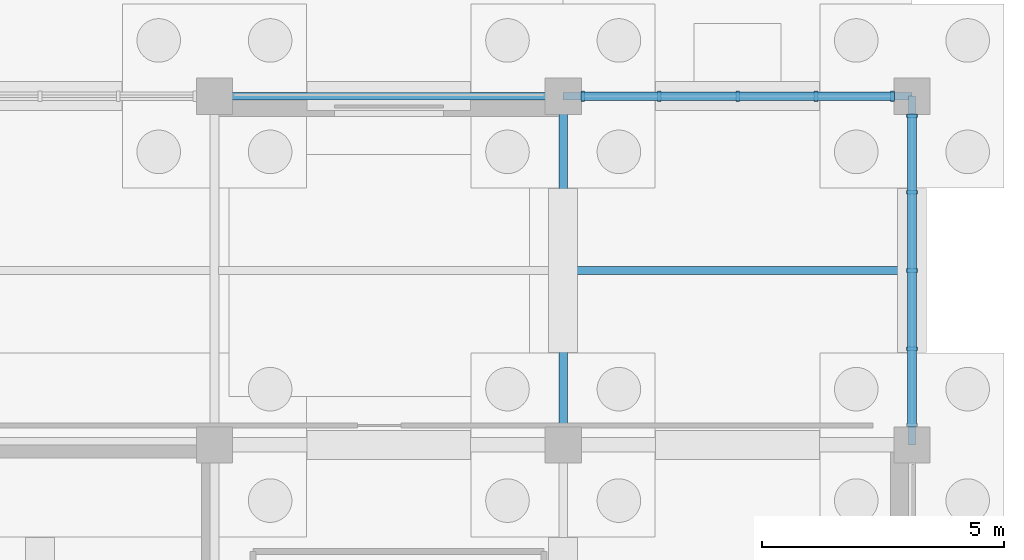
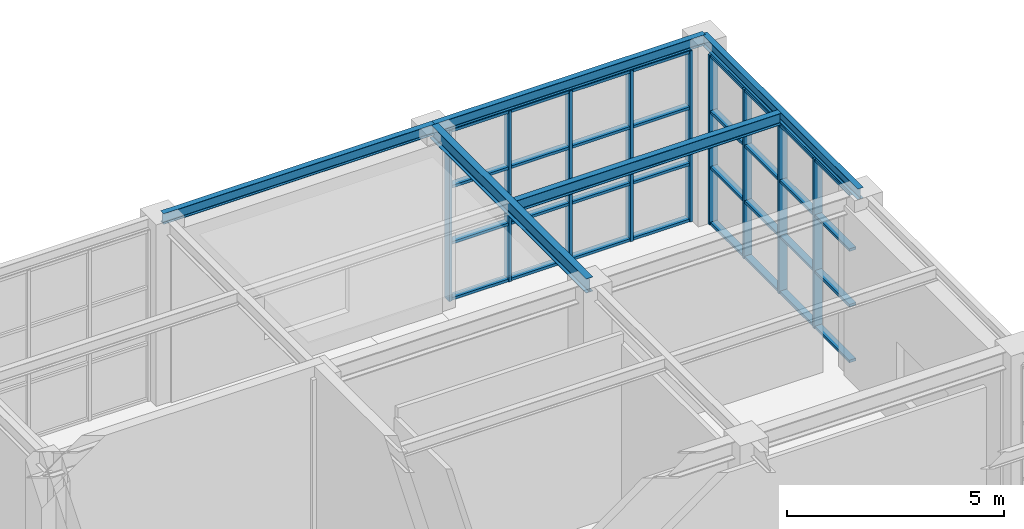
# One storey, part 36 of 75: 17 members, 5 beams, 2 elements without a shape of their own.
"""IFC4 building model written with IfcOpenShell, lengths in metres."""

from ifc_helpers import new_model, si_unit, direction, frame, origin, origin_2d, place, context, subcontext, project, spatial, rectangle, i_section, extrude, material, material_profile, profile_set, type_object, element, aggregate, save


model = new_model("IFC4")

# Units and contexts
model_context = context("Model", 3, precision=1e-05, world=origin(), true_north=direction((0.0, 1.0)))
body_context = subcontext(model_context, "Body", "Model", "MODEL_VIEW")
ifc_project = project(units=[si_unit("LENGTHUNIT", "METRE"), si_unit("AREAUNIT", "SQUARE_METRE"), si_unit("VOLUMEUNIT", "CUBIC_METRE"), si_unit("PLANEANGLEUNIT", "RADIAN"), si_unit("MASSUNIT", "GRAM", prefix="KILO")], contexts=[model_context])

# Site, building, storey
site_placement = place(None, origin())
site = spatial("IfcSite", under=ifc_project, at=site_placement, CompositionType="ELEMENT")
building_placement = place(site_placement, origin())
building = spatial("IfcBuilding", under=site, at=building_placement, Name="Leyfeld Transit Interchange", CompositionType="ELEMENT")
storey_placement = place(building_placement, origin())
storey = spatial("IfcBuildingStorey", under=building, at=storey_placement, Name="L00", CompositionType="ELEMENT", Elevation=0.0)

# Beams
ifc_material_1 = material(Name="Steel S355J2", Category="steel")
ifc_material_profile_1 = material_profile(ifc_material_1, i_section(OverallWidth=0.14990234375, OverallDepth=0.300048828125, WebThickness=0.007080078125, FlangeThickness=0.0107421875, FilletRadius=0.014892578125, at=origin_2d()), Name="IPE 300")
ifc_profile_set_1 = profile_set([ifc_material_profile_1], Name="Steel S355J2")
beam_type_1 = type_object("IfcBeamType", Name="BM-STL-IPE300", PredefinedType="SPANDREL", material=ifc_profile_set_1)
beam_1_placement = place(storey_placement, frame((187.199951171875, 86.39990234375, 4.949951171875), z_axis=(0.0, 1.0, 0.0), x_axis=(-1.0, 0.0, 0.0)))
element("IfcBeam", 1, at=beam_1_placement, inside=storey, type_object=beam_type_1, Name="Beam BM-L00-1872_0864-1872_0936", PredefinedType="SPANDREL", context=body_context, shape_type="SweptSolid", body=[
    extrude(i_section(OverallWidth=0.14990234375, OverallDepth=0.300048828125, WebThickness=0.007080078125, FlangeThickness=0.0107421875, FilletRadius=0.014892578125, at=origin_2d()), origin(), (0.0, 0.0, 1.0), 7.2001953125),
])
for number, where, z_axis, x_axis, name in (
    (2, (172.800048828125, 93.60009765625, 4.949951171875), (1.0, 0.0, 0.0), (0.0, 1.0, 0.0), "Beam BM-L00-1728_0936-1800_0936"),
    (3, (180.0, 93.60009765625, 4.949951171875), (1.0, 0.0, 0.0), (0.0, 1.0, 0.0), "Beam BM-L00-1800_0936-1872_0936"),
):
    element("IfcBeam", number, at=place(storey_placement, frame(where, z_axis=z_axis, x_axis=x_axis)), inside=storey, type_object=beam_type_1, Name=name, PredefinedType="SPANDREL", context=body_context, shape_type="SweptSolid", body=[
        extrude(i_section(OverallWidth=0.14990234375, OverallDepth=0.300048828125, WebThickness=0.007080078125, FlangeThickness=0.0107421875, FilletRadius=0.014892578125, at=origin_2d()), origin(), (0.0, 0.0, 1.0), 7.199951171875),
    ])
ifc_material_profile_2 = material_profile(ifc_material_1, i_section(OverallWidth=0.159912109375, OverallDepth=0.330078125, WebThickness=0.007568359375, FlangeThickness=0.011474609375, FilletRadius=0.01806640625, at=origin_2d()), Name="IPE 330")
ifc_profile_set_2 = profile_set([ifc_material_profile_2], Name="Steel S355J2")
beam_type_2 = type_object("IfcBeamType", Name="BM-STL-IPE330", PredefinedType="BEAM", material=ifc_profile_set_2)
beam_2_placement = place(storey_placement, frame((180.0869140625, 90.0, 4.93505859375), z_axis=(1.0, 0.0, 0.0), x_axis=(0.0, 1.0, 0.0)))
element("IfcBeam", 4, at=beam_2_placement, inside=storey, type_object=beam_type_2, Name="Beam BM-L00-1801_0900-1871_0900", PredefinedType="BEAM", context=body_context, shape_type="SweptSolid", body=[
    extrude(i_section(OverallWidth=0.159912109375, OverallDepth=0.330078125, WebThickness=0.007568359375, FlangeThickness=0.011474609375, FilletRadius=0.01806640625, at=origin_2d()), origin(), (0.0, 0.0, 1.0), 7.041015625),
])
ifc_material_profile_3 = material_profile(ifc_material_1, i_section(OverallWidth=0.179931640625, OverallDepth=0.39990234375, WebThickness=0.008544921875, FlangeThickness=0.013427734375, FilletRadius=0.02099609375, at=origin_2d()), Name="IPE 400")
ifc_profile_set_3 = profile_set([ifc_material_profile_3], Name="Steel S355J2")
beam_type_3 = type_object("IfcBeamType", Name="BM-STL-IPE400", PredefinedType="BEAM", material=ifc_profile_set_3)
beam_3_placement = place(storey_placement, frame((180.0, 86.39990234375, 4.89990234375), z_axis=(0.0, 1.0, 0.0), x_axis=(-1.0, 0.0, 0.0)))
element("IfcBeam", 5, at=beam_3_placement, inside=storey, type_object=beam_type_3, Name="Beam BM-L00-1800_0864-1800_0936", PredefinedType="BEAM", context=body_context, shape_type="SweptSolid", body=[
    extrude(i_section(OverallWidth=0.179931640625, OverallDepth=0.39990234375, WebThickness=0.008544921875, FlangeThickness=0.013427734375, FilletRadius=0.02099609375, at=origin_2d()), origin(), (0.0, 0.0, 1.0), 7.2001953125),
])

# Curtain wall, members
ifc_material_2 = material(Name="Anodised aluminium EN AW-6060 T66", Category="aluminium")
curtain_wall_type = type_object("IfcCurtainWallType", Name="CW-SYS-BUS-7200", PredefinedType="NOTDEFINED", material=ifc_material_2)
curtain_wall_1_placement = place(storey_placement, origin())
curtain_wall_1 = element("IfcCurtainWall", 6, at=curtain_wall_1_placement, inside=storey, type_object=curtain_wall_type, Name="Curtain Wall CW-L00-043", PredefinedType="NOTDEFINED")
ifc_material_profile_4 = material_profile(ifc_material_2, rectangle(XDim=0.074951171875, YDim=0.219970703125, at=origin_2d()), Name="CW-M 75x220")
ifc_profile_set_4 = profile_set([ifc_material_profile_4], Name="Anodised aluminium EN AW-6060 T66")
member_type_1 = type_object("IfcMemberType", Name="CW-MUL-180x70", PredefinedType="MULLION", material=ifc_profile_set_4)
member_1_placement = place(storey_placement, frame((180.402587890625, 93.60009765625, 0.0), z_axis=(0.0, 0.0, 1.0), x_axis=(1.0, 0.0, 0.0)))
member_1 = element("IfcMember", 7, at=member_1_placement, type_object=member_type_1, Name="Curtain Mullion CW-L00-043-M01", PredefinedType="MULLION", context=body_context, shape_type="SweptSolid", body=[
    extrude(rectangle(XDim=0.074951171875, YDim=0.219970703125, at=origin_2d()), origin(), (0.0, 0.0, 1.0), 4.800048828125),
])
member_2_placement = place(storey_placement, frame((181.982421875, 93.60009765625, 0.0), z_axis=(0.0, 0.0, 1.0), x_axis=(1.0, 0.0, 0.0)))
member_2 = element("IfcMember", 8, at=member_2_placement, type_object=member_type_1, Name="Curtain Mullion CW-L00-043-M02", PredefinedType="MULLION", context=body_context, shape_type="SweptSolid", body=[
    extrude(rectangle(XDim=0.074951171875, YDim=0.219970703125, at=origin_2d()), origin(), (0.0, 0.0, 1.0), 4.800048828125),
])
member_3_placement = place(storey_placement, frame((183.60009765625, 93.60009765625, 0.0), z_axis=(0.0, 0.0, 1.0), x_axis=(1.0, 0.0, 0.0)))
member_3 = element("IfcMember", 9, at=member_3_placement, type_object=member_type_1, Name="Curtain Mullion CW-L00-043-M03", PredefinedType="MULLION", context=body_context, shape_type="SweptSolid", body=[
    extrude(rectangle(XDim=0.074951171875, YDim=0.219970703125, at=origin_2d()), origin(), (0.0, 0.0, 1.0), 4.800048828125),
])
member_4_placement = place(storey_placement, frame((185.217529296875, 93.60009765625, 0.0), z_axis=(0.0, 0.0, 1.0), x_axis=(1.0, 0.0, 0.0)))
member_4 = element("IfcMember", 10, at=member_4_placement, type_object=member_type_1, Name="Curtain Mullion CW-L00-043-M04", PredefinedType="MULLION", context=body_context, shape_type="SweptSolid", body=[
    extrude(rectangle(XDim=0.074951171875, YDim=0.219970703125, at=origin_2d()), origin(), (0.0, 0.0, 1.0), 4.800048828125),
])
member_5_placement = place(storey_placement, frame((186.797607421875, 93.60009765625, 0.0), z_axis=(0.0, 0.0, 1.0), x_axis=(1.0, 0.0, 0.0)))
member_5 = element("IfcMember", 11, at=member_5_placement, type_object=member_type_1, Name="Curtain Mullion CW-L00-043-M05", PredefinedType="MULLION", context=body_context, shape_type="SweptSolid", body=[
    extrude(rectangle(XDim=0.074951171875, YDim=0.219970703125, at=origin_2d()), origin(), (0.0, 0.0, 1.0), 4.800048828125),
])

curtain_wall_2_placement = place(storey_placement, origin())
curtain_wall_2 = element("IfcCurtainWall", 12, at=curtain_wall_2_placement, inside=storey, type_object=curtain_wall_type, Name="Curtain Wall CW-L00-044", PredefinedType="NOTDEFINED")
member_6_placement = place(storey_placement, frame((187.199951171875, 93.197509765625, 0.0), z_axis=(0.0, 0.0, 1.0), x_axis=(0.0, -1.0, 0.0)))
member_6 = element("IfcMember", 13, at=member_6_placement, type_object=member_type_1, Name="Curtain Mullion CW-L00-044-M01", PredefinedType="MULLION", context=body_context, shape_type="SweptSolid", body=[
    extrude(rectangle(XDim=0.074951171875, YDim=0.219970703125, at=origin_2d()), origin(), (0.0, 0.0, 1.0), 4.77001953125),
])
member_7_placement = place(storey_placement, frame((187.199951171875, 91.617431640625, 0.0), z_axis=(0.0, 0.0, 1.0), x_axis=(0.0, -1.0, 0.0)))
member_7 = element("IfcMember", 14, at=member_7_placement, type_object=member_type_1, Name="Curtain Mullion CW-L00-044-M02", PredefinedType="MULLION", context=body_context, shape_type="SweptSolid", body=[
    extrude(rectangle(XDim=0.074951171875, YDim=0.219970703125, at=origin_2d()), origin(), (0.0, 0.0, 1.0), 4.77001953125),
])
member_8_placement = place(storey_placement, frame((187.199951171875, 90.0, 0.0), z_axis=(0.0, 0.0, 1.0), x_axis=(0.0, -1.0, 0.0)))
member_8 = element("IfcMember", 15, at=member_8_placement, type_object=member_type_1, Name="Curtain Mullion CW-L00-044-M03", PredefinedType="MULLION", context=body_context, shape_type="SweptSolid", body=[
    extrude(rectangle(XDim=0.074951171875, YDim=0.219970703125, at=origin_2d()), origin(), (0.0, 0.0, 1.0), 4.77001953125),
])
member_9_placement = place(storey_placement, frame((187.199951171875, 88.382568359375, 0.0), z_axis=(0.0, 0.0, 1.0), x_axis=(0.0, -1.0, 0.0)))
member_9 = element("IfcMember", 16, at=member_9_placement, type_object=member_type_1, Name="Curtain Mullion CW-L00-044-M04", PredefinedType="MULLION", context=body_context, shape_type="SweptSolid", body=[
    extrude(rectangle(XDim=0.074951171875, YDim=0.219970703125, at=origin_2d()), origin(), (0.0, 0.0, 1.0), 4.77001953125),
])

# Member
ifc_material_profile_5 = material_profile(ifc_material_2, rectangle(XDim=0.179931640625, YDim=0.074951171875, at=origin_2d()), Name="CW-TRN-160x70")
ifc_profile_set_5 = profile_set([ifc_material_profile_5], Name="Anodised aluminium EN AW-6060 T66")
member_type_2 = type_object("IfcMemberType", Name="CW-TRN-160x70", PredefinedType="USERDEFINED", material=ifc_profile_set_5)
member_10_placement = place(storey_placement, frame((180.364990234375, 93.60009765625, 0.03759765625), z_axis=(1.0, 0.0, 0.0), x_axis=(0.0, 1.0, 0.0)))
member_10 = element("IfcMember", 17, at=member_10_placement, type_object=member_type_2, Name="Curtain Transom CW-L00-043-T01", ObjectType="TRANSOM", PredefinedType="USERDEFINED", context=body_context, shape_type="SweptSolid", body=[
    extrude(rectangle(XDim=0.179931640625, YDim=0.074951171875, at=origin_2d()), origin(), (0.0, 0.0, 1.0), 6.469970703125),
])

member_11_placement = place(storey_placement, frame((180.364990234375, 93.60009765625, 1.612548828125), z_axis=(1.0, 0.0, 0.0), x_axis=(0.0, 1.0, 0.0)))
member_11 = element("IfcMember", 18, at=member_11_placement, type_object=member_type_2, Name="Curtain Transom CW-L00-043-T02", ObjectType="TRANSOM", PredefinedType="USERDEFINED", context=body_context, shape_type="SweptSolid", body=[
    extrude(rectangle(XDim=0.179931640625, YDim=0.074951171875, at=origin_2d()), origin(), (0.0, 0.0, 1.0), 6.469970703125),
])

member_12_placement = place(storey_placement, frame((180.364990234375, 93.60009765625, 3.1875), z_axis=(1.0, 0.0, 0.0), x_axis=(0.0, 1.0, 0.0)))
member_12 = element("IfcMember", 19, at=member_12_placement, type_object=member_type_2, Name="Curtain Transom CW-L00-043-T03", ObjectType="TRANSOM", PredefinedType="USERDEFINED", context=body_context, shape_type="SweptSolid", body=[
    extrude(rectangle(XDim=0.179931640625, YDim=0.074951171875, at=origin_2d()), origin(), (0.0, 0.0, 1.0), 6.469970703125),
])

member_13_placement = place(storey_placement, frame((180.364990234375, 93.60009765625, 4.762451171875), z_axis=(1.0, 0.0, 0.0), x_axis=(0.0, 1.0, 0.0)))
member_13 = element("IfcMember", 20, at=member_13_placement, type_object=member_type_2, Name="Curtain Transom CW-L00-043-T04", ObjectType="TRANSOM", PredefinedType="USERDEFINED", context=body_context, shape_type="SweptSolid", body=[
    extrude(rectangle(XDim=0.179931640625, YDim=0.074951171875, at=origin_2d()), origin(), (0.0, 0.0, 1.0), 6.469970703125),
])

aggregate(curtain_wall_1, [member_1, member_2, member_3, member_4, member_5, member_10, member_11, member_12, member_13])

member_14_placement = place(storey_placement, frame((187.199951171875, 93.235107421875, 0.03759765625), z_axis=(0.0, -1.0, 0.0), x_axis=(1.0, 0.0, 0.0)))
member_14 = element("IfcMember", 21, at=member_14_placement, type_object=member_type_2, Name="Curtain Transom CW-L00-044-T01", ObjectType="TRANSOM", PredefinedType="USERDEFINED", context=body_context, shape_type="SweptSolid", body=[
    extrude(rectangle(XDim=0.179931640625, YDim=0.074951171875, at=origin_2d()), origin(), (0.0, 0.0, 1.0), 6.47021484375),
])

member_15_placement = place(storey_placement, frame((187.199951171875, 93.235107421875, 1.6025390625), z_axis=(0.0, -1.0, 0.0), x_axis=(1.0, 0.0, 0.0)))
member_15 = element("IfcMember", 22, at=member_15_placement, type_object=member_type_2, Name="Curtain Transom CW-L00-044-T02", ObjectType="TRANSOM", PredefinedType="USERDEFINED", context=body_context, shape_type="SweptSolid", body=[
    extrude(rectangle(XDim=0.179931640625, YDim=0.074951171875, at=origin_2d()), origin(), (0.0, 0.0, 1.0), 6.47021484375),
])

member_16_placement = place(storey_placement, frame((187.199951171875, 93.235107421875, 3.16748046875), z_axis=(0.0, -1.0, 0.0), x_axis=(1.0, 0.0, 0.0)))
member_16 = element("IfcMember", 23, at=member_16_placement, type_object=member_type_2, Name="Curtain Transom CW-L00-044-T03", ObjectType="TRANSOM", PredefinedType="USERDEFINED", context=body_context, shape_type="SweptSolid", body=[
    extrude(rectangle(XDim=0.179931640625, YDim=0.074951171875, at=origin_2d()), origin(), (0.0, 0.0, 1.0), 6.47021484375),
])

member_17_placement = place(storey_placement, frame((187.199951171875, 93.235107421875, 4.732421875), z_axis=(0.0, -1.0, 0.0), x_axis=(1.0, 0.0, 0.0)))
member_17 = element("IfcMember", 24, at=member_17_placement, type_object=member_type_2, Name="Curtain Transom CW-L00-044-T04", ObjectType="TRANSOM", PredefinedType="USERDEFINED", context=body_context, shape_type="SweptSolid", body=[
    extrude(rectangle(XDim=0.179931640625, YDim=0.074951171875, at=origin_2d()), origin(), (0.0, 0.0, 1.0), 6.47021484375),
])

aggregate(curtain_wall_2, [member_6, member_7, member_8, member_9, member_14, member_15, member_16, member_17])

save(model, "model.ifc")
